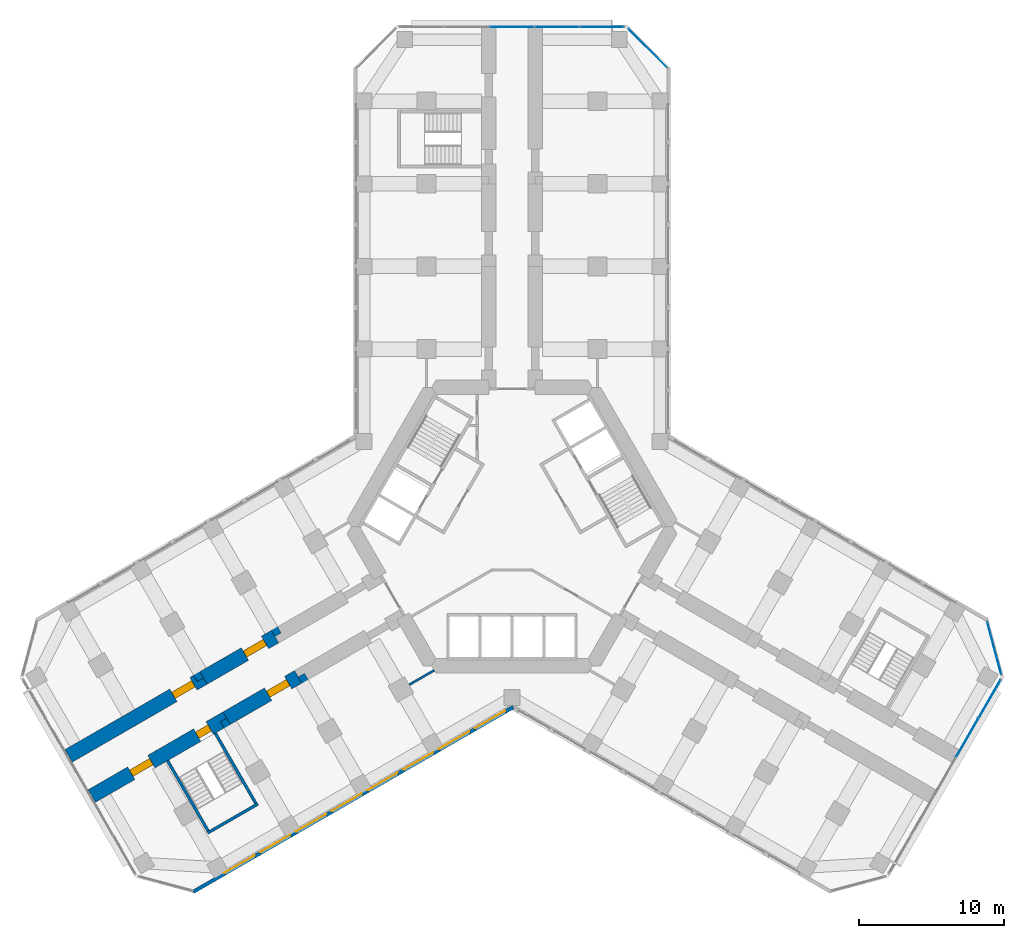
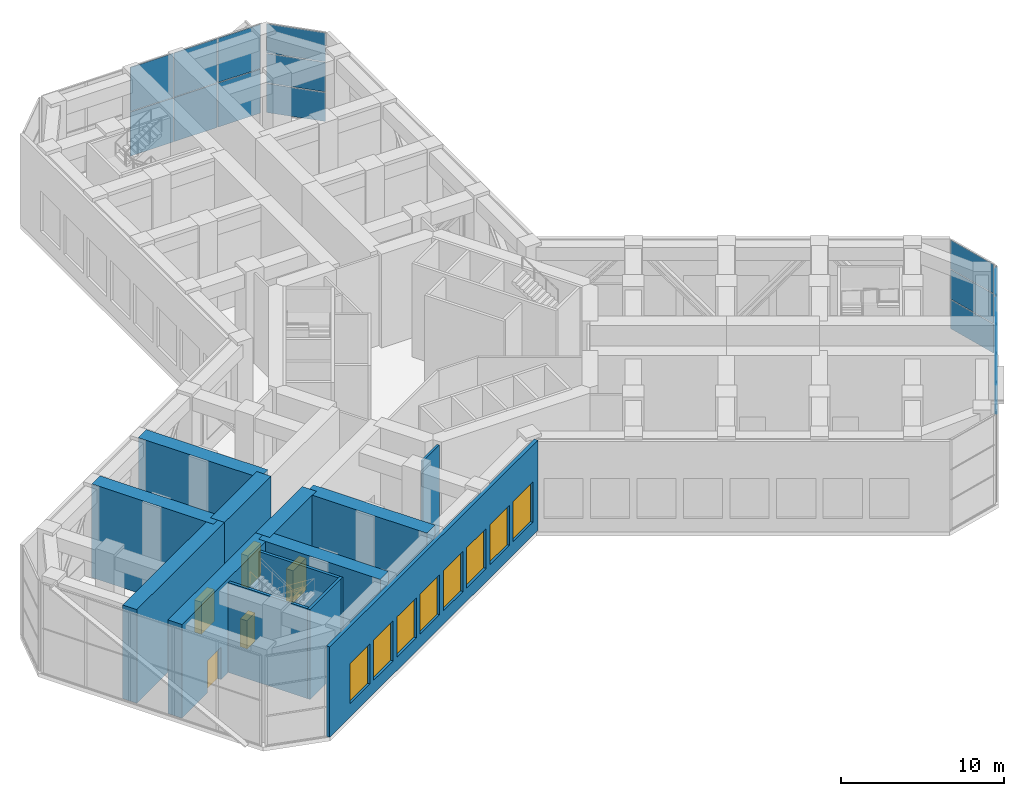
# One storey, part 10 of 17: 16 plates, 13 walls, 8 windows, 5 doors, 13 openings, 4 elements without a shape of their own.
"""IFC4 building model written with IfcOpenShell, lengths in metres."""

from ifc_helpers import new_model, si_unit, direction, frame, frame_2d, origin, origin_2d, place, context, subcontext, project, spatial, rectangle, extrude, material, layer, layer_set, type_object, element, fill, aggregate, save


model = new_model("IFC4")

# Units and contexts
model_context = context("Model", 3, precision=1e-05, world=origin(), true_north=direction((0.0, 1.0)))
body_context = subcontext(model_context, "Body", "Model", "MODEL_VIEW")
ifc_project = project(units=[si_unit("LENGTHUNIT", "METRE"), si_unit("AREAUNIT", "SQUARE_METRE"), si_unit("VOLUMEUNIT", "CUBIC_METRE"), si_unit("PLANEANGLEUNIT", "RADIAN"), si_unit("MASSUNIT", "GRAM", prefix="KILO")], contexts=[model_context])

# Site, building, storey
site_placement = place(None, origin())
site = spatial("IfcSite", under=ifc_project, at=site_placement, CompositionType="ELEMENT")
building_placement = place(site_placement, origin())
building = spatial("IfcBuilding", under=site, at=building_placement, Name="Kosmar Iwan School Tower", CompositionType="ELEMENT")
storey_placement = place(building_placement, frame((0.0, 0.0, 32.39990234375)))
storey = spatial("IfcBuildingStorey", under=building, at=storey_placement, Name="L07", CompositionType="ELEMENT", Elevation=32.39990234375)

# Curtain wall, plates
ifc_material_1 = material(Name="Black aluminium louvres and glass", Category="aluminium")
curtain_wall_type_1 = type_object("IfcCurtainWallType", Name="Plant floor louvred curtain wall", PredefinedType="USERDEFINED", material=ifc_material_1)
curtain_wall_1_placement = place(storey_placement, origin())
curtain_wall_1 = element("IfcCurtainWall", 1, at=curtain_wall_1_placement, inside=storey, type_object=curtain_wall_type_1, Name="Curtain wall L07-F03", ObjectType="LOUVRED CURTAIN WALL", PredefinedType="USERDEFINED")
ifc_material_2 = material(Name="Black anodised aluminium louvre blades", Category="aluminium")
ifc_layer_1 = layer(ifc_material_2, 0.050048828125)
ifc_layer_set_1 = layer_set([ifc_layer_1], Name="Aluminium louvre panel")
plate_type_1 = type_object("IfcPlateType", Name="Aluminium louvre panel", PredefinedType="SHEET", material=ifc_layer_set_1)
plate_1_placement = place(storey_placement, frame((31.40576171875, -14.553466796875, 0.06005859375), z_axis=(0.0, 0.0, 1.0), x_axis=(0.499999997325, 0.866025405329, 0.0)))
plate_1 = element("IfcPlate", 2, at=plate_1_placement, type_object=plate_type_1, Name="CW4 panel 4.1", PredefinedType="CURTAIN_PANEL", context=body_context, shape_type="SweptSolid", body=[
    extrude(rectangle(XDim=3.039306640625, YDim=0.050048828125, at=origin_2d()), origin(), (0.0, 0.0, 1.0), 3.284912109375),
])
plate_2_placement = place(storey_placement, frame((31.40576171875, -14.553466796875, 3.4052734375), z_axis=(0.0, 0.0, 1.0), x_axis=(0.499999997325, 0.866025405329, 0.0)))
plate_2 = element("IfcPlate", 3, at=plate_2_placement, type_object=plate_type_1, Name="CW4 panel 4.2", PredefinedType="CURTAIN_PANEL", context=body_context, shape_type="SweptSolid", body=[
    extrude(rectangle(XDim=3.039306640625, YDim=0.050048828125, at=origin_2d()), origin(), (0.0, 0.0, 1.0), 3.284912109375),
])
plate_3_placement = place(storey_placement, frame((32.947998046875, -11.88232421875, 0.06005859375), z_axis=(0.0, 0.0, 1.0), x_axis=(0.499999997325, 0.866025405329, 0.0)))
plate_3 = element("IfcPlate", 4, at=plate_3_placement, type_object=plate_type_1, Name="CW4 panel 5.1", PredefinedType="CURTAIN_PANEL", context=body_context, shape_type="SweptSolid", body=[
    extrude(rectangle(XDim=3.00927734375, YDim=0.050048828125, at=origin_2d()), origin(), (0.0, 0.0, 1.0), 3.284912109375),
])
plate_4_placement = place(storey_placement, frame((32.947998046875, -11.88232421875, 3.4052734375), z_axis=(0.0, 0.0, 1.0), x_axis=(0.499999997325, 0.866025405329, 0.0)))
plate_4 = element("IfcPlate", 5, at=plate_4_placement, type_object=plate_type_1, Name="CW4 panel 5.2", PredefinedType="CURTAIN_PANEL", context=body_context, shape_type="SweptSolid", body=[
    extrude(rectangle(XDim=3.00927734375, YDim=0.050048828125, at=origin_2d()), origin(), (0.0, 0.0, 1.0), 3.284912109375),
])
aggregate(curtain_wall_1, [plate_1, plate_2, plate_3, plate_4])

curtain_wall_2_placement = place(storey_placement, origin())
curtain_wall_2 = element("IfcCurtainWall", 6, at=curtain_wall_2_placement, inside=storey, type_object=curtain_wall_type_1, Name="Curtain wall L07-F08", ObjectType="LOUVRED CURTAIN WALL", PredefinedType="USERDEFINED")
plate_5_placement = place(storey_placement, frame((6.18359375, 34.47509765625, 0.06005859375), z_axis=(0.0, 0.0, 1.0), x_axis=(-1.0, 0.0, 0.0)))
plate_5 = element("IfcPlate", 7, at=plate_5_placement, type_object=plate_type_1, Name="CW4 panel 1.1", PredefinedType="CURTAIN_PANEL", context=body_context, shape_type="SweptSolid", body=[
    extrude(rectangle(XDim=3.00927734375, YDim=0.050048828125, at=origin_2d()), origin(), (0.0, 0.0, 1.0), 3.284912109375),
])
plate_6_placement = place(storey_placement, frame((6.18359375, 34.47509765625, 3.4052734375), z_axis=(0.0, 0.0, 1.0), x_axis=(-1.0, 0.0, 0.0)))
plate_6 = element("IfcPlate", 8, at=plate_6_placement, type_object=plate_type_1, Name="CW4 panel 1.2", PredefinedType="CURTAIN_PANEL", context=body_context, shape_type="SweptSolid", body=[
    extrude(rectangle(XDim=3.00927734375, YDim=0.050048828125, at=origin_2d()), origin(), (0.0, 0.0, 1.0), 3.284912109375),
])
plate_7_placement = place(storey_placement, frame((3.099365234375, 34.47509765625, 0.06005859375), z_axis=(0.0, 0.0, 1.0), x_axis=(-1.0, 0.0, 0.0)))
plate_7 = element("IfcPlate", 9, at=plate_7_placement, type_object=plate_type_1, Name="CW4 panel 2.1", PredefinedType="CURTAIN_PANEL", context=body_context, shape_type="SweptSolid", body=[
    extrude(rectangle(XDim=3.039306640625, YDim=0.050048828125, at=origin_2d()), origin(), (0.0, 0.0, 1.0), 3.284912109375),
])
plate_8_placement = place(storey_placement, frame((3.099365234375, 34.47509765625, 3.4052734375), z_axis=(0.0, 0.0, 1.0), x_axis=(-1.0, 0.0, 0.0)))
plate_8 = element("IfcPlate", 10, at=plate_8_placement, type_object=plate_type_1, Name="CW4 panel 2.2", PredefinedType="CURTAIN_PANEL", context=body_context, shape_type="SweptSolid", body=[
    extrude(rectangle(XDim=3.039306640625, YDim=0.050048828125, at=origin_2d()), origin(), (0.0, 0.0, 1.0), 3.284912109375),
])
plate_9_placement = place(storey_placement, frame((0.0, 34.47509765625, 0.06005859375), z_axis=(0.0, 0.0, 1.0), x_axis=(-1.0, 0.0, 0.0)))
plate_9 = element("IfcPlate", 11, at=plate_9_placement, type_object=plate_type_1, Name="CW4 panel 3.1", PredefinedType="CURTAIN_PANEL", context=body_context, shape_type="SweptSolid", body=[
    extrude(rectangle(XDim=3.039306640625, YDim=0.050048828125, at=origin_2d()), origin(), (0.0, 0.0, 1.0), 3.284912109375),
])
plate_10_placement = place(storey_placement, frame((0.0, 34.47509765625, 3.4052734375), z_axis=(0.0, 0.0, 1.0), x_axis=(-1.0, 0.0, 0.0)))
plate_10 = element("IfcPlate", 12, at=plate_10_placement, type_object=plate_type_1, Name="CW4 panel 3.2", PredefinedType="CURTAIN_PANEL", context=body_context, shape_type="SweptSolid", body=[
    extrude(rectangle(XDim=3.039306640625, YDim=0.050048828125, at=origin_2d()), origin(), (0.0, 0.0, 1.0), 3.284912109375),
])
aggregate(curtain_wall_2, [plate_5, plate_6, plate_7, plate_8, plate_9, plate_10])

ifc_material_3 = material(Name="Dark glass in black aluminium frame", Category="aluminium")
curtain_wall_type_2 = type_object("IfcCurtainWallType", Name="Chamfer curtain wall dark glass", PredefinedType="USERDEFINED", material=ifc_material_3)
curtain_wall_3_placement = place(storey_placement, origin())
curtain_wall_3 = element("IfcCurtainWall", 13, at=curtain_wall_3_placement, inside=storey, type_object=curtain_wall_type_2, Name="Curtain wall L07-F04", ObjectType="FACETED CURTAIN WALL", PredefinedType="USERDEFINED")
ifc_material_4 = material(Name="Dark glass", Category="glass")
ifc_layer_2 = layer(ifc_material_4, 0.028076171875)
ifc_layer_set_2 = layer_set([ifc_layer_2], Name="Dark glass panel 28")
plate_type_2 = type_object("IfcPlateType", Name="Dark glass panel 28", PredefinedType="CURTAIN_PANEL", material=ifc_layer_set_2)
plate_11_placement = place(storey_placement, frame((33.269775390625, -8.3984375, 0.06005859375), z_axis=(0.0, 0.0, 1.0), x_axis=(-0.258818861462, 0.965925875495, 0.0)))
plate_11 = element("IfcPlate", 14, at=plate_11_placement, type_object=plate_type_2, Name="CW2 panel 1.1", PredefinedType="CURTAIN_PANEL", context=body_context, shape_type="SweptSolid", body=[
    extrude(rectangle(XDim=3.718994140625, YDim=0.028076171875, at=origin_2d()), origin(), (0.0, 0.0, 1.0), 2.159912109375),
])
plate_12_placement = place(storey_placement, frame((33.269775390625, -8.3984375, 2.280029296875), z_axis=(0.0, 0.0, 1.0), x_axis=(-0.258818861462, 0.965925875495, 0.0)))
plate_12 = element("IfcPlate", 15, at=plate_12_placement, type_object=plate_type_2, Name="CW2 panel 1.2", PredefinedType="CURTAIN_PANEL", context=body_context, shape_type="SweptSolid", body=[
    extrude(rectangle(XDim=3.718994140625, YDim=0.028076171875, at=origin_2d()), origin(), (0.0, 0.0, 1.0), 2.18994140625),
])
plate_13_placement = place(storey_placement, frame((33.269775390625, -8.3984375, 4.5302734375), z_axis=(0.0, 0.0, 1.0), x_axis=(-0.258818861462, 0.965925875495, 0.0)))
plate_13 = element("IfcPlate", 16, at=plate_13_placement, type_object=plate_type_2, Name="CW2 panel 1.3", PredefinedType="CURTAIN_PANEL", context=body_context, shape_type="SweptSolid", body=[
    extrude(rectangle(XDim=3.718994140625, YDim=0.028076171875, at=origin_2d()), origin(), (0.0, 0.0, 1.0), 2.159912109375),
])
aggregate(curtain_wall_3, [plate_11, plate_12, plate_13])

curtain_wall_4_placement = place(storey_placement, origin())
curtain_wall_4 = element("IfcCurtainWall", 17, at=curtain_wall_4_placement, inside=storey, type_object=curtain_wall_type_2, Name="Curtain wall L07-F07", ObjectType="FACETED CURTAIN WALL", PredefinedType="USERDEFINED")
plate_14_placement = place(storey_placement, frame((9.361572265625, 33.01171875, 0.06005859375), z_axis=(0.0, 0.0, 1.0), x_axis=(-0.707106781187, 0.707106781187, 0.0)))
plate_14 = element("IfcPlate", 18, at=plate_14_placement, type_object=plate_type_2, Name="CW2 panel 1.1", PredefinedType="CURTAIN_PANEL", context=body_context, shape_type="SweptSolid", body=[
    extrude(rectangle(XDim=3.718994140625, YDim=0.028076171875, at=origin_2d()), origin(), (0.0, 0.0, 1.0), 2.159912109375),
])
plate_15_placement = place(storey_placement, frame((9.361572265625, 33.01171875, 2.280029296875), z_axis=(0.0, 0.0, 1.0), x_axis=(-0.707106781187, 0.707106781187, 0.0)))
plate_15 = element("IfcPlate", 19, at=plate_15_placement, type_object=plate_type_2, Name="CW2 panel 1.2", PredefinedType="CURTAIN_PANEL", context=body_context, shape_type="SweptSolid", body=[
    extrude(rectangle(XDim=3.718994140625, YDim=0.028076171875, at=origin_2d()), origin(), (0.0, 0.0, 1.0), 2.18994140625),
])
plate_16_placement = place(storey_placement, frame((9.361572265625, 33.01171875, 4.5302734375), z_axis=(0.0, 0.0, 1.0), x_axis=(-0.707106781187, 0.707106781187, 0.0)))
plate_16 = element("IfcPlate", 20, at=plate_16_placement, type_object=plate_type_2, Name="CW2 panel 1.3", PredefinedType="CURTAIN_PANEL", context=body_context, shape_type="SweptSolid", body=[
    extrude(rectangle(XDim=3.718994140625, YDim=0.028076171875, at=origin_2d()), origin(), (0.0, 0.0, 1.0), 2.159912109375),
])
aggregate(curtain_wall_4, [plate_14, plate_15, plate_16])

# Wall, opening, door
ifc_material_5 = material(Name="Concrete C50/60", Category="concrete")
ifc_layer_3 = layer(ifc_material_5, 1.0)
ifc_layer_set_3 = layer_set([ifc_layer_3], Name="Corridor buttress wall 1000")
wall_type_1 = type_object("IfcWallType", Name="Corridor buttress wall 1000", PredefinedType="SHEAR", material=ifc_layer_set_3)
wall_1_placement = place(storey_placement, frame((-14.7451171875, -10.360595703125, 0.0), z_axis=(0.0, 0.0, 1.0), x_axis=(-0.866015111908, -0.50001782563, 0.0)))
wall_1 = element("IfcWall", 21, at=wall_1_placement, inside=storey, type_object=wall_type_1, Name="Corridor wall BL bay 2", PredefinedType="SHEAR", context=body_context, shape_type="SweptSolid", body=[
    extrude(rectangle(XDim=5.699951171875, YDim=1.0, at=frame_2d((2.85009765625, 0.0))), origin(), (0.0, 0.0, 1.0), 7.0),
])
opening_1_placement = place(wall_1_placement, frame((0.800048828125, 0.0, 0.0)))
opening_1 = element("IfcOpeningElement", 22, at=opening_1_placement, cuts=wall_1, Name="Opening D5", PredefinedType="OPENING", context=body_context, shape_type="SweptSolid", body=[
    extrude(rectangle(XDim=1.60009765625, YDim=2.39990234375, at=frame_2d((0.800048828125, 1.199951171875))), frame((0.0, 0.511962890625, 0.0), z_axis=(0.0, -1.0, 0.0), x_axis=(1.0, 0.0, 0.0)), (0.0, 0.0, 1.0), 1.02392578125),
])
ifc_material_6 = material(Name="Steel fire door", Category="steel")
door_type_1 = type_object("IfcDoorType", Name="Plant room door pair 1600x2400", OperationType="DOUBLE_DOOR_SINGLE_SWING", PredefinedType="DOOR", material=ifc_material_6)
door_1_placement = place(opening_1_placement, origin())
door_1 = element("IfcDoor", 23, at=door_1_placement, inside=storey, type_object=door_type_1, Name="Heat exchanger room door L07-BL2", OperationType="DOUBLE_DOOR_SINGLE_SWING", OverallHeight=2.39990234375, OverallWidth=1.60009765625, PredefinedType="DOOR", context=body_context, shape_type="SweptSolid", body=[
    extrude(rectangle(XDim=1.60009765625, YDim=2.39990234375, at=frame_2d((0.800048828125, 1.199951171875))), frame((0.0, 0.25, 0.0), z_axis=(0.0, -1.0, 0.0), x_axis=(1.0, 0.0, 0.0)), (0.0, 0.0, 1.0), 0.5),
])
fill(opening_1, door_1)

# Wall, openings, doors
wall_2_placement = place(storey_placement, frame((-19.681396484375, -13.210693359375, 0.0), z_axis=(0.0, 0.0, 1.0), x_axis=(-0.866028186671, -0.499995179869, 0.0)))
wall_2 = element("IfcWall", 24, at=wall_2_placement, inside=storey, type_object=wall_type_1, Name="Corridor wall BL bay 3", PredefinedType="SHEAR", context=body_context, shape_type="SweptSolid", body=[
    extrude(rectangle(XDim=10.7451171875, YDim=1.0, at=frame_2d((5.37255859375, 0.0))), origin(), (0.0, 0.0, 1.0), 7.0),
])
opening_2_placement = place(wall_2_placement, frame((6.0, 0.0, 0.0)))
opening_2 = element("IfcOpeningElement", 25, at=opening_2_placement, cuts=wall_2, Name="Opening D5", PredefinedType="OPENING", context=body_context, shape_type="SweptSolid", body=[
    extrude(rectangle(XDim=1.60009765625, YDim=2.39990234375, at=frame_2d((0.800048828125, 1.199951171875))), frame((0.0, 0.511962890625, 0.0), z_axis=(0.0, -1.0, 0.0), x_axis=(1.0, 0.0, 0.0)), (0.0, 0.0, 1.0), 1.02392578125),
])
opening_3_placement = place(wall_2_placement, frame((1.35009765625, 0.0, 0.0)))
opening_3 = element("IfcOpeningElement", 26, at=opening_3_placement, cuts=wall_2, Name="Opening D6", PredefinedType="OPENING", context=body_context, shape_type="SweptSolid", body=[
    extrude(rectangle(XDim=1.0, YDim=2.10009765625, at=frame_2d((0.5, 1.050048828125))), frame((0.0, 0.511962890625, 0.0), z_axis=(0.0, -1.0, 0.0), x_axis=(1.0, 0.0, 0.0)), (0.0, 0.0, 1.0), 1.02392578125),
])
door_2_placement = place(opening_2_placement, origin())
door_2 = element("IfcDoor", 27, at=door_2_placement, inside=storey, type_object=door_type_1, Name="Pump room door L07-BL3", OperationType="DOUBLE_DOOR_SINGLE_SWING", OverallHeight=2.39990234375, OverallWidth=1.60009765625, PredefinedType="DOOR", context=body_context, shape_type="SweptSolid", body=[
    extrude(rectangle(XDim=1.60009765625, YDim=2.39990234375, at=frame_2d((0.800048828125, 1.199951171875))), frame((0.0, 0.25, 0.0), z_axis=(0.0, -1.0, 0.0), x_axis=(1.0, 0.0, 0.0)), (0.0, 0.0, 1.0), 0.5),
])
fill(opening_2, door_2)
ifc_material_7 = material(Name="Steel fire door", Category="steel")
door_type_2 = type_object("IfcDoorType", Name="Stair door 1000x2100", OperationType="SINGLE_SWING_LEFT", PredefinedType="DOOR", material=ifc_material_7)
door_3_placement = place(opening_3_placement, origin())
door_3 = element("IfcDoor", 28, at=door_3_placement, inside=storey, type_object=door_type_2, Name="Stair WS2 door L07", OperationType="SINGLE_SWING_LEFT", OverallHeight=2.10009765625, OverallWidth=1.0, PredefinedType="DOOR", context=body_context, shape_type="SweptSolid", body=[
    extrude(rectangle(XDim=1.0, YDim=2.10009765625, at=frame_2d((0.5, 1.050048828125))), frame((0.0, 0.25, 0.0), z_axis=(0.0, -1.0, 0.0), x_axis=(1.0, 0.0, 0.0)), (0.0, 0.0, 1.0), 0.5),
])
fill(opening_3, door_3)

# Wall, opening, door
wall_3_placement = place(storey_placement, frame((-16.34521484375, -7.58935546875, 0.0), z_axis=(0.0, 0.0, 1.0), x_axis=(-0.866015111908, -0.50001782563, 0.0)))
wall_3 = element("IfcWall", 29, at=wall_3_placement, inside=storey, type_object=wall_type_1, Name="Corridor wall BR bay 2", PredefinedType="SHEAR", context=body_context, shape_type="SweptSolid", body=[
    extrude(rectangle(XDim=5.699951171875, YDim=1.0, at=frame_2d((2.85009765625, 0.0))), origin(), (0.0, 0.0, 1.0), 7.0),
])
opening_4_placement = place(wall_3_placement, frame((0.800048828125, 0.0, 0.0)))
opening_4 = element("IfcOpeningElement", 30, at=opening_4_placement, cuts=wall_3, Name="Opening D5", PredefinedType="OPENING", context=body_context, shape_type="SweptSolid", body=[
    extrude(rectangle(XDim=1.60009765625, YDim=2.39990234375, at=frame_2d((0.800048828125, 1.199951171875))), frame((0.0, 0.511962890625, 0.0), z_axis=(0.0, -1.0, 0.0), x_axis=(1.0, 0.0, 0.0)), (0.0, 0.0, 1.0), 1.02392578125),
])
door_4_placement = place(opening_4_placement, origin())
door_4 = element("IfcDoor", 31, at=door_4_placement, inside=storey, type_object=door_type_1, Name="Heat exchanger room door L07-BR2", OperationType="DOUBLE_DOOR_SINGLE_SWING", OverallHeight=2.39990234375, OverallWidth=1.60009765625, PredefinedType="DOOR", context=body_context, shape_type="SweptSolid", body=[
    extrude(rectangle(XDim=1.60009765625, YDim=2.39990234375, at=frame_2d((0.800048828125, 1.199951171875))), frame((0.0, 0.25, 0.0), z_axis=(0.0, -1.0, 0.0), x_axis=(1.0, 0.0, 0.0)), (0.0, 0.0, 1.0), 0.5),
])
fill(opening_4, door_4)

wall_4_placement = place(storey_placement, frame((-21.281494140625, -10.439453125, 0.0), z_axis=(0.0, 0.0, 1.0), x_axis=(-0.866032345022, -0.499987977232, 0.0)))
wall_4 = element("IfcWall", 32, at=wall_4_placement, inside=storey, type_object=wall_type_1, Name="Corridor wall BR bay 3", PredefinedType="SHEAR", context=body_context, shape_type="SweptSolid", body=[
    extrude(rectangle(XDim=10.744873046875, YDim=1.0, at=frame_2d((5.37255859375, 0.0))), origin(), (0.0, 0.0, 1.0), 7.0),
])
opening_5_placement = place(wall_4_placement, frame((0.800048828125, 0.0, 0.0)))
opening_5 = element("IfcOpeningElement", 33, at=opening_5_placement, cuts=wall_4, Name="Opening D5", PredefinedType="OPENING", context=body_context, shape_type="SweptSolid", body=[
    extrude(rectangle(XDim=1.60009765625, YDim=2.39990234375, at=frame_2d((0.800048828125, 1.199951171875))), frame((0.0, 0.511962890625, 0.0), z_axis=(0.0, -1.0, 0.0), x_axis=(1.0, 0.0, 0.0)), (0.0, 0.0, 1.0), 1.02392578125),
])
door_5_placement = place(opening_5_placement, origin())
door_5 = element("IfcDoor", 34, at=door_5_placement, inside=storey, type_object=door_type_1, Name="Pump room door L07-BR3", OperationType="DOUBLE_DOOR_SINGLE_SWING", OverallHeight=2.39990234375, OverallWidth=1.60009765625, PredefinedType="DOOR", context=body_context, shape_type="SweptSolid", body=[
    extrude(rectangle(XDim=1.60009765625, YDim=2.39990234375, at=frame_2d((0.800048828125, 1.199951171875))), frame((0.0, 0.25, 0.0), z_axis=(0.0, -1.0, 0.0), x_axis=(1.0, 0.0, 0.0)), (0.0, 0.0, 1.0), 0.5),
])
fill(opening_5, door_5)

# Walls
ifc_material_8 = material(Name="Concrete C35/45", Category="concrete")
ifc_layer_4 = layer(ifc_material_8, 0.199951171875)
ifc_layer_set_4 = layer_set([ifc_layer_4], Name="Escape stair wall 200")
wall_type_2 = type_object("IfcWallType", Name="Escape stair wall 200", PredefinedType="SHEAR", material=ifc_layer_set_4)
for number, where, z_axis, x_axis, name in (
    (35, (-20.470703125, -14.24365234375, 0.0), (0.0, 0.0, 1.0), (0.499987231761, -0.866032775405, 0.0), "Stair WS2 wall"),
    (36, (-23.76171875, -16.1435546875, 0.0), (0.0, 0.0, 1.0), (0.500018801468, -0.86601454848, 0.0), "Stair WS2 wall"),
):
    element("IfcWall", number, at=place(storey_placement, frame(where, z_axis=z_axis, x_axis=x_axis)), inside=storey, type_object=wall_type_2, Name=name, PredefinedType="SHEAR", context=body_context, shape_type="SweptSolid", body=[
        extrude(rectangle(XDim=5.800048828125, YDim=0.199951171875, at=frame_2d((2.89990234375, 0.0))), origin(), (0.0, 0.0, 1.0), 6.72998046875),
    ])
wall_5_placement = place(storey_placement, frame((-17.5341796875, -19.1298828125, 0.0), z_axis=(0.0, 0.0, 1.0), x_axis=(-0.866026010844, -0.49999894854, 0.0)))
element("IfcWall", 37, at=wall_5_placement, inside=storey, type_object=wall_type_2, Name="Stair WS2 wall", PredefinedType="SHEAR", context=body_context, shape_type="SweptSolid", body=[
    extrude(rectangle(XDim=4.0, YDim=0.199951171875, at=frame_2d((2.0, 0.0))), origin(), (0.0, 0.0, 1.0), 6.72998046875),
])

# Wall, openings, windows
ifc_material_9 = material(Name="Black aluminium rainscreen on insulated framing", Category="aluminium")
ifc_layer_5 = layer(ifc_material_9, 0.25)
ifc_layer_set_5 = layer_set([ifc_layer_5], Name="External wall rainscreen 250")
wall_type_3 = type_object("IfcWallType", Name="External wall rainscreen 250", PredefinedType="SOLIDWALL", material=ifc_layer_set_5)
wall_6_placement = place(storey_placement, frame((0.088134765625, -12.44873046875, 0.0), z_axis=(0.0, 0.0, 1.0), x_axis=(-0.866026390279, -0.499998291337, 0.0)))
wall_6 = element("IfcWall", 38, at=wall_6_placement, inside=storey, type_object=wall_type_3, Name="External wall BL L07", PredefinedType="SOLIDWALL", context=body_context, shape_type="SweptSolid", body=[
    extrude(rectangle(XDim=25.4873046875, YDim=0.25, at=frame_2d((12.74365234375, 0.0))), origin(), (0.0, 0.0, 1.0), 6.75),
])
opening_6_placement = place(wall_6_placement, frame((0.626953125, 0.0, 1.0)))
opening_6 = element("IfcOpeningElement", 39, at=opening_6_placement, cuts=wall_6, Name="Opening LV1", PredefinedType="OPENING", context=body_context, shape_type="SweptSolid", body=[
    extrude(rectangle(XDim=2.39990234375, YDim=3.0, at=frame_2d((1.199951171875, 1.5))), frame((0.0, 0.136962890625, 0.0), z_axis=(0.0, -1.0, 0.0), x_axis=(1.0, 0.0, 0.0)), (0.0, 0.0, 1.0), 0.27392578125),
])
opening_7_placement = place(wall_6_placement, frame((3.47705078125, 0.0, 1.0)))
opening_7 = element("IfcOpeningElement", 40, at=opening_7_placement, cuts=wall_6, Name="Opening LV1", PredefinedType="OPENING", context=body_context, shape_type="SweptSolid", body=[
    extrude(rectangle(XDim=2.39990234375, YDim=3.0, at=frame_2d((1.199951171875, 1.5))), frame((0.0, 0.136962890625, 0.0), z_axis=(0.0, -1.0, 0.0), x_axis=(1.0, 0.0, 0.0)), (0.0, 0.0, 1.0), 0.27392578125),
])
opening_8_placement = place(wall_6_placement, frame((6.326904296875, 0.0, 1.0)))
opening_8 = element("IfcOpeningElement", 41, at=opening_8_placement, cuts=wall_6, Name="Opening LV1", PredefinedType="OPENING", context=body_context, shape_type="SweptSolid", body=[
    extrude(rectangle(XDim=2.39990234375, YDim=3.0, at=frame_2d((1.199951171875, 1.5))), frame((0.0, 0.136962890625, 0.0), z_axis=(0.0, -1.0, 0.0), x_axis=(1.0, 0.0, 0.0)), (0.0, 0.0, 1.0), 0.27392578125),
])
opening_9_placement = place(wall_6_placement, frame((9.177001953125, 0.0, 1.0)))
opening_9 = element("IfcOpeningElement", 42, at=opening_9_placement, cuts=wall_6, Name="Opening LV1", PredefinedType="OPENING", context=body_context, shape_type="SweptSolid", body=[
    extrude(rectangle(XDim=2.39990234375, YDim=3.0, at=frame_2d((1.199951171875, 1.5))), frame((0.0, 0.136962890625, 0.0), z_axis=(0.0, -1.0, 0.0), x_axis=(1.0, 0.0, 0.0)), (0.0, 0.0, 1.0), 0.27392578125),
])
opening_10_placement = place(wall_6_placement, frame((12.027099609375, 0.0, 1.0)))
opening_10 = element("IfcOpeningElement", 43, at=opening_10_placement, cuts=wall_6, Name="Opening LV1", PredefinedType="OPENING", context=body_context, shape_type="SweptSolid", body=[
    extrude(rectangle(XDim=2.39990234375, YDim=3.0, at=frame_2d((1.199951171875, 1.5))), frame((0.0, 0.136962890625, 0.0), z_axis=(0.0, -1.0, 0.0), x_axis=(1.0, 0.0, 0.0)), (0.0, 0.0, 1.0), 0.27392578125),
])
opening_11_placement = place(wall_6_placement, frame((14.876953125, 0.0, 1.0)))
opening_11 = element("IfcOpeningElement", 44, at=opening_11_placement, cuts=wall_6, Name="Opening LV1", PredefinedType="OPENING", context=body_context, shape_type="SweptSolid", body=[
    extrude(rectangle(XDim=2.39990234375, YDim=3.0, at=frame_2d((1.199951171875, 1.5))), frame((0.0, 0.136962890625, 0.0), z_axis=(0.0, -1.0, 0.0), x_axis=(1.0, 0.0, 0.0)), (0.0, 0.0, 1.0), 0.27392578125),
])
opening_12_placement = place(wall_6_placement, frame((17.72705078125, 0.0, 1.0)))
opening_12 = element("IfcOpeningElement", 45, at=opening_12_placement, cuts=wall_6, Name="Opening LV1", PredefinedType="OPENING", context=body_context, shape_type="SweptSolid", body=[
    extrude(rectangle(XDim=2.39990234375, YDim=3.0, at=frame_2d((1.199951171875, 1.5))), frame((0.0, 0.136962890625, 0.0), z_axis=(0.0, -1.0, 0.0), x_axis=(1.0, 0.0, 0.0)), (0.0, 0.0, 1.0), 0.27392578125),
])
opening_13_placement = place(wall_6_placement, frame((20.576904296875, 0.0, 1.0)))
opening_13 = element("IfcOpeningElement", 46, at=opening_13_placement, cuts=wall_6, Name="Opening LV1", PredefinedType="OPENING", context=body_context, shape_type="SweptSolid", body=[
    extrude(rectangle(XDim=2.39990234375, YDim=3.0, at=frame_2d((1.199951171875, 1.5))), frame((0.0, 0.136962890625, 0.0), z_axis=(0.0, -1.0, 0.0), x_axis=(1.0, 0.0, 0.0)), (0.0, 0.0, 1.0), 0.27392578125),
])
ifc_material_10 = material(Name="Black aluminium louvre", Category="aluminium")
window_type = type_object("IfcWindowType", Name="Plant louvre 2400x3000", PartitioningType="SINGLE_PANEL", PredefinedType="USERDEFINED", material=ifc_material_10)
window_1_placement = place(opening_6_placement, origin())
window_1 = element("IfcWindow", 47, at=window_1_placement, inside=storey, type_object=window_type, Name="Window BL L07 -1", ObjectType="LOUVRE", OverallHeight=3.0, OverallWidth=2.39990234375, PartitioningType="SINGLE_PANEL", PredefinedType="USERDEFINED", context=body_context, shape_type="SweptSolid", body=[
    extrude(rectangle(XDim=2.39990234375, YDim=3.0, at=frame_2d((1.199951171875, 1.5))), frame((0.0, -0.050048828125, 0.0), z_axis=(0.0, -1.0, 0.0), x_axis=(1.0, 0.0, 0.0)), (0.0, 0.0, 1.0), 0.02001953125),
])
fill(opening_6, window_1)
window_2_placement = place(opening_7_placement, origin())
window_2 = element("IfcWindow", 48, at=window_2_placement, inside=storey, type_object=window_type, Name="Window BL L07 0", ObjectType="LOUVRE", OverallHeight=3.0, OverallWidth=2.39990234375, PartitioningType="SINGLE_PANEL", PredefinedType="USERDEFINED", context=body_context, shape_type="SweptSolid", body=[
    extrude(rectangle(XDim=2.39990234375, YDim=3.0, at=frame_2d((1.199951171875, 1.5))), frame((0.0, -0.050048828125, 0.0), z_axis=(0.0, -1.0, 0.0), x_axis=(1.0, 0.0, 0.0)), (0.0, 0.0, 1.0), 0.02001953125),
])
fill(opening_7, window_2)
window_3_placement = place(opening_8_placement, origin())
window_3 = element("IfcWindow", 49, at=window_3_placement, inside=storey, type_object=window_type, Name="Window BL L07 1", ObjectType="LOUVRE", OverallHeight=3.0, OverallWidth=2.39990234375, PartitioningType="SINGLE_PANEL", PredefinedType="USERDEFINED", context=body_context, shape_type="SweptSolid", body=[
    extrude(rectangle(XDim=2.39990234375, YDim=3.0, at=frame_2d((1.199951171875, 1.5))), frame((0.0, -0.050048828125, 0.0), z_axis=(0.0, -1.0, 0.0), x_axis=(1.0, 0.0, 0.0)), (0.0, 0.0, 1.0), 0.02001953125),
])
fill(opening_8, window_3)
window_4_placement = place(opening_9_placement, origin())
window_4 = element("IfcWindow", 50, at=window_4_placement, inside=storey, type_object=window_type, Name="Window BL L07 2", ObjectType="LOUVRE", OverallHeight=3.0, OverallWidth=2.39990234375, PartitioningType="SINGLE_PANEL", PredefinedType="USERDEFINED", context=body_context, shape_type="SweptSolid", body=[
    extrude(rectangle(XDim=2.39990234375, YDim=3.0, at=frame_2d((1.199951171875, 1.5))), frame((0.0, -0.050048828125, 0.0), z_axis=(0.0, -1.0, 0.0), x_axis=(1.0, 0.0, 0.0)), (0.0, 0.0, 1.0), 0.02001953125),
])
fill(opening_9, window_4)
window_5_placement = place(opening_10_placement, origin())
window_5 = element("IfcWindow", 51, at=window_5_placement, inside=storey, type_object=window_type, Name="Window BL L07 3", ObjectType="LOUVRE", OverallHeight=3.0, OverallWidth=2.39990234375, PartitioningType="SINGLE_PANEL", PredefinedType="USERDEFINED", context=body_context, shape_type="SweptSolid", body=[
    extrude(rectangle(XDim=2.39990234375, YDim=3.0, at=frame_2d((1.199951171875, 1.5))), frame((0.0, -0.050048828125, 0.0), z_axis=(0.0, -1.0, 0.0), x_axis=(1.0, 0.0, 0.0)), (0.0, 0.0, 1.0), 0.02001953125),
])
fill(opening_10, window_5)
window_6_placement = place(opening_11_placement, origin())
window_6 = element("IfcWindow", 52, at=window_6_placement, inside=storey, type_object=window_type, Name="Window BL L07 4", ObjectType="LOUVRE", OverallHeight=3.0, OverallWidth=2.39990234375, PartitioningType="SINGLE_PANEL", PredefinedType="USERDEFINED", context=body_context, shape_type="SweptSolid", body=[
    extrude(rectangle(XDim=2.39990234375, YDim=3.0, at=frame_2d((1.199951171875, 1.5))), frame((0.0, -0.050048828125, 0.0), z_axis=(0.0, -1.0, 0.0), x_axis=(1.0, 0.0, 0.0)), (0.0, 0.0, 1.0), 0.02001953125),
])
fill(opening_11, window_6)
window_7_placement = place(opening_12_placement, origin())
window_7 = element("IfcWindow", 53, at=window_7_placement, inside=storey, type_object=window_type, Name="Window BL L07 5", ObjectType="LOUVRE", OverallHeight=3.0, OverallWidth=2.39990234375, PartitioningType="SINGLE_PANEL", PredefinedType="USERDEFINED", context=body_context, shape_type="SweptSolid", body=[
    extrude(rectangle(XDim=2.39990234375, YDim=3.0, at=frame_2d((1.199951171875, 1.5))), frame((0.0, -0.050048828125, 0.0), z_axis=(0.0, -1.0, 0.0), x_axis=(1.0, 0.0, 0.0)), (0.0, 0.0, 1.0), 0.02001953125),
])
fill(opening_12, window_7)
window_8_placement = place(opening_13_placement, origin())
window_8 = element("IfcWindow", 54, at=window_8_placement, inside=storey, type_object=window_type, Name="Window BL L07 6", ObjectType="LOUVRE", OverallHeight=3.0, OverallWidth=2.39990234375, PartitioningType="SINGLE_PANEL", PredefinedType="USERDEFINED", context=body_context, shape_type="SweptSolid", body=[
    extrude(rectangle(XDim=2.39990234375, YDim=3.0, at=frame_2d((1.199951171875, 1.5))), frame((0.0, -0.050048828125, 0.0), z_axis=(0.0, -1.0, 0.0), x_axis=(1.0, 0.0, 0.0)), (0.0, 0.0, 1.0), 0.02001953125),
])
fill(opening_13, window_8)

# Walls
ifc_material_11 = material(Name="Concrete C50/60", Category="concrete")
ifc_layer_6 = layer(ifc_material_11, 1.0)
ifc_layer_set_6 = layer_set([ifc_layer_6], Name="Outrigger wall 1000")
wall_type_4 = type_object("IfcWallType", Name="Outrigger wall 1000", PredefinedType="SHEAR", material=ifc_layer_set_6)
for number, where, z_axis, x_axis, name in (
    (55, (-14.7451171875, -10.360595703125, 0.0), (0.0, 0.0, 1.0), (0.500007509209, -0.866021068297, 0.0), "Outrigger wall BL"),
    (56, (-19.681396484375, -13.210693359375, 0.0), (0.0, 0.0, 1.0), (0.499986217557, -0.866033360935, 0.0), "Outrigger wall BL"),
    (57, (-16.34521484375, -7.58935546875, 0.0), (0.0, 0.0, 1.0), (-0.500007509209, 0.866021068297, 0.0), "Outrigger wall BR"),
):
    element("IfcWall", number, at=place(storey_placement, frame(where, z_axis=z_axis, x_axis=x_axis)), inside=storey, type_object=wall_type_4, Name=name, PredefinedType="SHEAR", context=body_context, shape_type="SweptSolid", body=[
        extrude(rectangle(XDim=8.599853515625, YDim=1.0, at=frame_2d((4.2998046875, 0.0))), origin(), (0.0, 0.0, 1.0), 7.0),
    ])
wall_7_placement = place(storey_placement, frame((-21.281494140625, -10.439453125, 0.0), z_axis=(0.0, 0.0, 1.0), x_axis=(-0.499995216735, 0.866028165386, 0.0)))
element("IfcWall", 58, at=wall_7_placement, inside=storey, type_object=wall_type_4, Name="Outrigger wall BR", PredefinedType="SHEAR", context=body_context, shape_type="SweptSolid", body=[
    extrude(rectangle(XDim=8.60009765625, YDim=1.0, at=frame_2d((4.300048828125, 0.0))), origin(), (0.0, 0.0, 1.0), 7.0),
])
ifc_material_12 = material(Name="Gypsum board on steel studs", Category="steel")
ifc_layer_7 = layer(ifc_material_12, 0.14990234375)
ifc_layer_set_7 = layer_set([ifc_layer_7], Name="School partition 150")
wall_type_5 = type_object("IfcWallType", Name="School partition 150", PredefinedType="PARTITIONING", material=ifc_layer_set_7)
wall_8_placement = place(storey_placement, frame((-5.36376953125, -9.909423828125, 0.0), z_axis=(0.0, 0.0, 1.0), x_axis=(-0.86598841356, -0.500064063475, 0.0)))
element("IfcWall", 59, at=wall_8_placement, inside=storey, type_object=wall_type_5, Name="Partition L07-BL-NB", PredefinedType="PARTITIONING", context=body_context, shape_type="SweptSolid", body=[
    extrude(rectangle(XDim=2.000244140625, YDim=0.14990234375, at=frame_2d((1.0, 0.0))), origin(), (0.0, 0.0, 1.0), 6.75),
])

save(model, "model.ifc")
